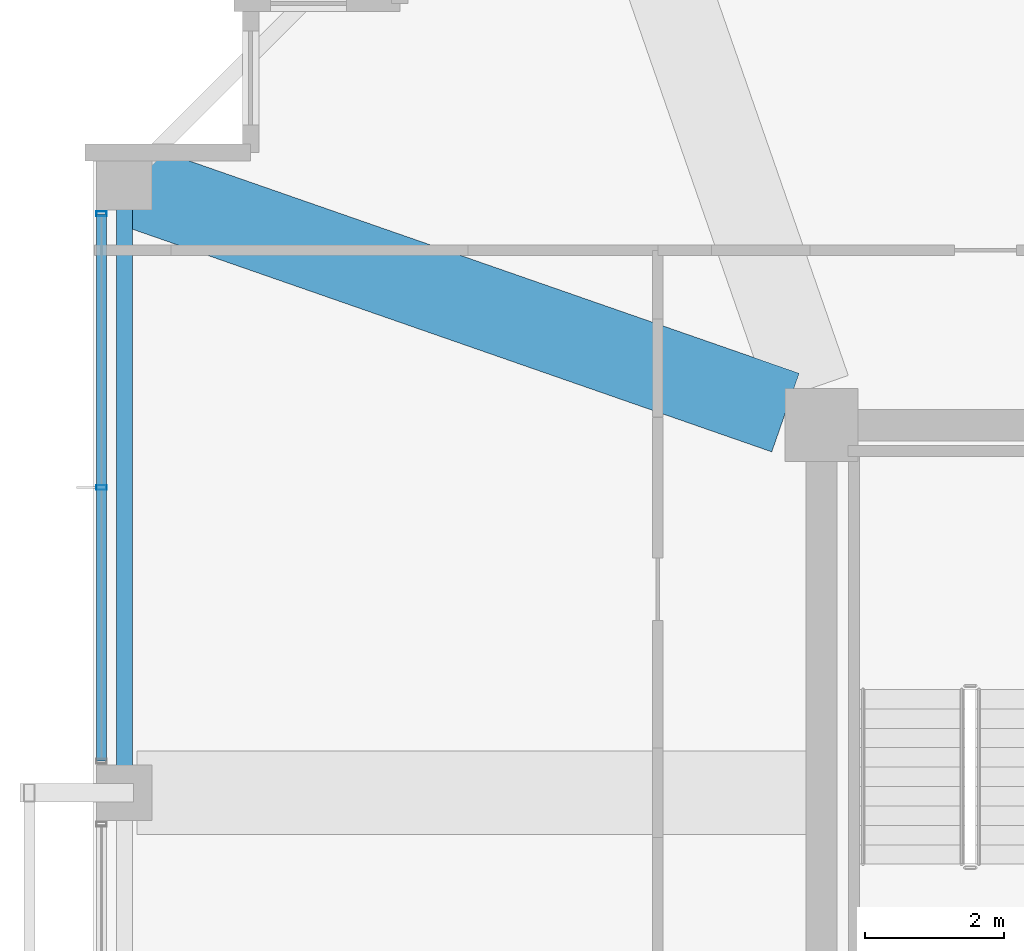
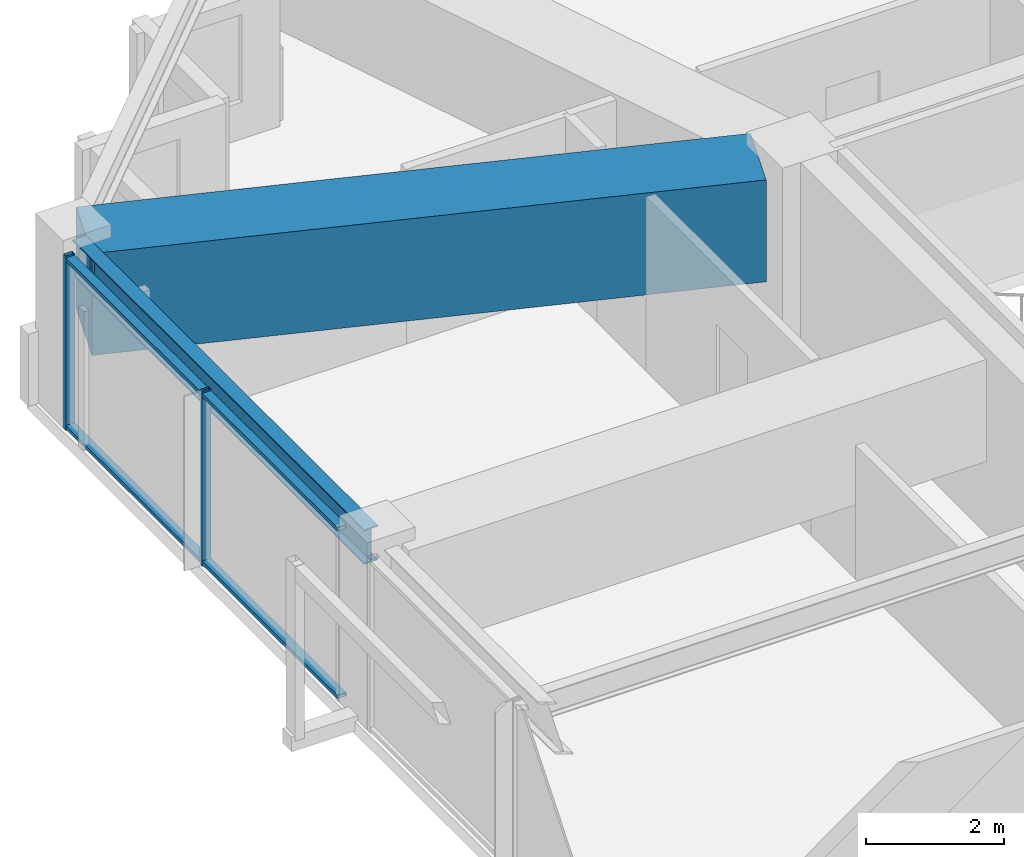
# One storey, part 16 of 37: 4 members, 2 beams, 1 element without a shape of its own.
"""IFC4 building model written with IfcOpenShell, lengths in metres."""

from ifc_helpers import new_model, si_unit, direction, frame, origin, origin_2d, place, context, subcontext, project, spatial, rectangle, hollow_rectangle, i_section, extrude, material, material_profile, profile_set, type_object, element, aggregate, save


model = new_model("IFC4")

# Units and contexts
model_context = context("Model", 3, precision=1e-05, world=origin(), true_north=direction((0.0, 1.0)))
body_context = subcontext(model_context, "Body", "Model", "MODEL_VIEW")
ifc_project = project(units=[si_unit("LENGTHUNIT", "METRE"), si_unit("AREAUNIT", "SQUARE_METRE"), si_unit("VOLUMEUNIT", "CUBIC_METRE"), si_unit("PLANEANGLEUNIT", "RADIAN"), si_unit("MASSUNIT", "GRAM", prefix="KILO")], contexts=[model_context])

# Site, building, storey
site_placement = place(None, origin())
site = spatial("IfcSite", under=ifc_project, at=site_placement, CompositionType="ELEMENT")
building_placement = place(site_placement, origin())
building = spatial("IfcBuilding", under=site, at=building_placement, Name="Kolvaren Belvedere", CompositionType="ELEMENT")
storey_placement = place(building_placement, frame((0.0, 0.0, 219.60009765625)))
storey = spatial("IfcBuildingStorey", under=building, at=storey_placement, Name="L64", CompositionType="ELEMENT", Elevation=219.60009765625)

# Beams
ifc_material_1 = material(Name="Structural steel ASTM A992 Grade 50", Category="steel")
ifc_material_profile_1 = material_profile(ifc_material_1, i_section(OverallWidth=0.22900390625, OverallDepth=0.612060546875, WebThickness=0.011962890625, FlangeThickness=0.01953125, FilletRadius=0.01806640625, at=origin_2d()), Name="W24X84")
ifc_profile_set_1 = profile_set([ifc_material_profile_1], Name="Structural steel ASTM A992 Grade 50")
beam_type_1 = type_object("IfcBeamType", Name="BM-SPAN-W24X84", PredefinedType="SPANDREL", material=ifc_profile_set_1)
beam_1_placement = place(storey_placement, frame((-19.949951171875, 13.219970703125, 2.77392578125), z_axis=(0.0, -1.0, 0.0), x_axis=(1.0, 0.0, 0.0)))
element("IfcBeam", 1, at=beam_1_placement, inside=storey, type_object=beam_type_1, Name="L64 Perimeter Spandrel W4-W3", PredefinedType="SPANDREL", context=body_context, shape_type="SweptSolid", body=[
    extrude(i_section(OverallWidth=0.22900390625, OverallDepth=0.612060546875, WebThickness=0.011962890625, FlangeThickness=0.01953125, FilletRadius=0.01806640625, at=origin_2d()), origin(), (0.0, 0.0, 1.0), 8.43994140625),
])
ifc_material_2 = material(Name="Concrete C50/60", Category="concrete")
ifc_material_profile_2 = material_profile(ifc_material_2, rectangle(XDim=1.199951171875, YDim=1.800048828125, at=origin_2d()), Name="RC 1200X1800")
ifc_profile_set_2 = profile_set([ifc_material_profile_2], Name="Concrete C50/60")
beam_type_2 = type_object("IfcBeamType", Name="BM-TG-1800", PredefinedType="BEAM", material=ifc_profile_set_2)
beam_2_placement = place(storey_placement, frame((-10.41943359375, 10.080810546875, 2.179931640625), z_axis=(-0.944365399758, 0.328898147971, 0.0), x_axis=(-0.328898147971, -0.944365399758, 0.0)))
element("IfcBeam", 2, at=beam_2_placement, inside=storey, type_object=beam_type_2, Name="L64 Corner Core-to-Perimeter Girder CC4-W4", PredefinedType="BEAM", context=body_context, shape_type="SweptSolid", body=[
    extrude(rectangle(XDim=1.199951171875, YDim=1.800048828125, at=origin_2d()), origin(), (0.0, 0.0, 1.0), 9.931884765625),
])

# Curtain wall, members
ifc_material_3 = material(Name="Anodised pale-metal aluminium AA 6063-T6", Category="aluminium")
curtain_wall_type = type_object("IfcCurtainWallType", Name="CW-Z5-HIGH", PredefinedType="NOTDEFINED", material=ifc_material_3)
curtain_wall_placement = place(storey_placement, origin())
curtain_wall = element("IfcCurtainWall", 3, at=curtain_wall_placement, inside=storey, type_object=curtain_wall_type, Name="L64 Unitised Curtain Wall FCW-L64-W-B3", PredefinedType="NOTDEFINED")
ifc_material_4 = material(Name="Anodised pale-metal aluminium AA 6063-T6", Category="aluminium")
ifc_material_profile_3 = material_profile(ifc_material_4, hollow_rectangle(XDim=0.070068359375, YDim=0.14990234375, WallThickness=0.004150390625, at=origin_2d()), Name="ALU-MUL-150X70")
ifc_profile_set_3 = profile_set([ifc_material_profile_3], Name="Anodised pale-metal aluminium AA 6063-T6")
member_type_1 = type_object("IfcMemberType", Name="CW-MUL-150", PredefinedType="MULLION", material=ifc_profile_set_3)
member_1_placement = place(storey_placement, frame((-20.280029296875, 9.0, 0.0), z_axis=(0.0, 0.0, 1.0), x_axis=(0.0, 1.0, 0.0)))
member_1 = element("IfcMember", 4, at=member_1_placement, type_object=member_type_1, Name="FCW-L64-W-B3 Unitised Mullion 2", PredefinedType="MULLION", context=body_context, shape_type="SweptSolid", body=[
    extrude(hollow_rectangle(XDim=0.070068359375, YDim=0.14990234375, WallThickness=0.004150390625, at=origin_2d()), origin(), (0.0, 0.0, 1.0), 3.079833984375),
])
member_2_placement = place(storey_placement, frame((-20.280029296875, 12.945068359375, 0.0), z_axis=(0.0, 0.0, 1.0), x_axis=(0.0, 1.0, 0.0)))
member_2 = element("IfcMember", 5, at=member_2_placement, type_object=member_type_1, Name="FCW-L64-W-B3 Unitised Mullion 3", PredefinedType="MULLION", context=body_context, shape_type="SweptSolid", body=[
    extrude(hollow_rectangle(XDim=0.070068359375, YDim=0.14990234375, WallThickness=0.004150390625, at=origin_2d()), origin(), (0.0, 0.0, 1.0), 3.079833984375),
])
ifc_material_5 = material(Name="Anodised pale-metal aluminium AA 6063-T6", Category="aluminium")
ifc_material_profile_4 = material_profile(ifc_material_5, hollow_rectangle(XDim=0.06494140625, YDim=0.14990234375, WallThickness=0.00390625, at=origin_2d()), Name="ALU-TRN-150X65")
ifc_profile_set_4 = profile_set([ifc_material_profile_4], Name="Anodised pale-metal aluminium AA 6063-T6")
member_type_2 = type_object("IfcMemberType", Name="CW-TRN-150", PredefinedType="USERDEFINED", material=ifc_profile_set_4)
member_3_placement = place(storey_placement, frame((-20.280029296875, 5.054931640625, 0.059814453125), z_axis=(0.0, 1.0, 0.0), x_axis=(0.0, 0.0, 1.0)))
member_3 = element("IfcMember", 6, at=member_3_placement, type_object=member_type_2, Name="FCW-L64-W-B3 Sill Transom", ObjectType="TRANSOM", PredefinedType="USERDEFINED", context=body_context, shape_type="SweptSolid", body=[
    extrude(hollow_rectangle(XDim=0.06494140625, YDim=0.14990234375, WallThickness=0.00390625, at=origin_2d()), origin(), (0.0, 0.0, 1.0), 7.89013671875),
])
member_4_placement = place(storey_placement, frame((-20.280029296875, 5.054931640625, 3.02001953125), z_axis=(0.0, 1.0, 0.0), x_axis=(0.0, 0.0, 1.0)))
member_4 = element("IfcMember", 7, at=member_4_placement, type_object=member_type_2, Name="FCW-L64-W-B3 Head Transom", ObjectType="TRANSOM", PredefinedType="USERDEFINED", context=body_context, shape_type="SweptSolid", body=[
    extrude(hollow_rectangle(XDim=0.06494140625, YDim=0.14990234375, WallThickness=0.00390625, at=origin_2d()), origin(), (0.0, 0.0, 1.0), 7.89013671875),
])
aggregate(curtain_wall, [member_1, member_2, member_3, member_4])

save(model, "model.ifc")
